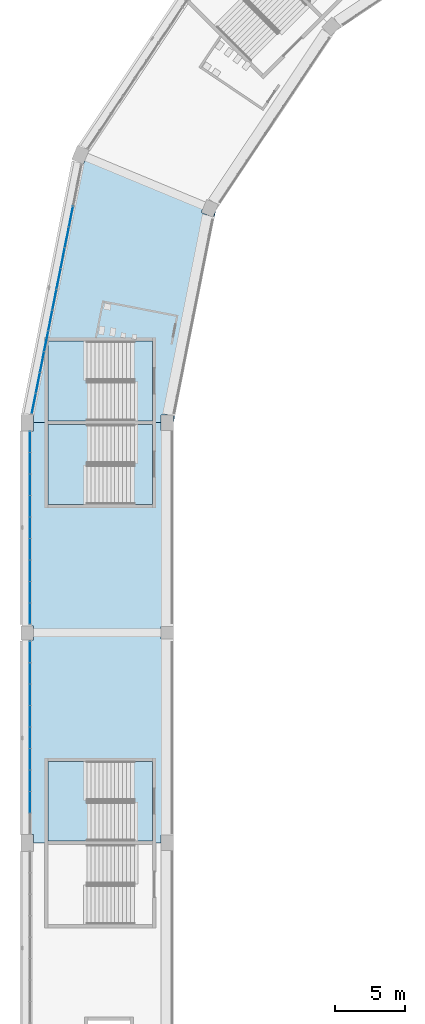
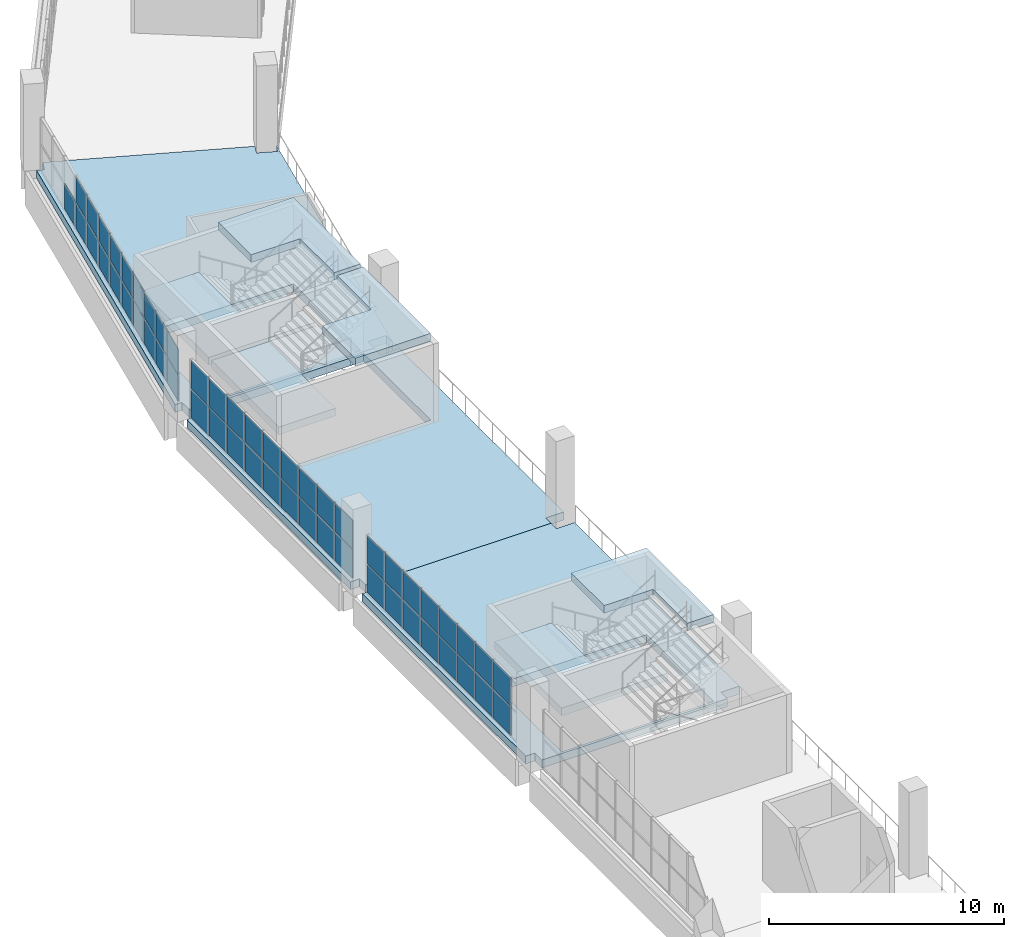
# One storey, part 53 of 177: 53 plates, 9 slabs, 6 elements without a shape of their own.
"""IFC4 building model written with IfcOpenShell, lengths in metres."""

from ifc_helpers import new_model, si_unit, direction, frame, origin, origin_2d, place, context, subcontext, project, spatial, polyline, rectangle, outline, extrude, material, layer, layer_set, type_object, element, aggregate, save


model = new_model("IFC4")

# Units and contexts
model_context = context("Model", 3, precision=1e-05, world=origin(), true_north=direction((0.0, 1.0)))
body_context = subcontext(model_context, "Body", "Model", "MODEL_VIEW")
ifc_project = project(units=[si_unit("LENGTHUNIT", "METRE"), si_unit("AREAUNIT", "SQUARE_METRE"), si_unit("VOLUMEUNIT", "CUBIC_METRE"), si_unit("PLANEANGLEUNIT", "RADIAN"), si_unit("MASSUNIT", "GRAM", prefix="KILO")], contexts=[model_context])

# Site, building, storey
site_placement = place(None, origin())
site = spatial("IfcSite", under=ifc_project, at=site_placement, CompositionType="ELEMENT")
building_placement = place(site_placement, origin())
building = spatial("IfcBuilding", under=site, at=building_placement, Name="Ogive Plaza Stadium", CompositionType="ELEMENT")
storey_placement = place(building_placement, frame((0.0, 0.0, 18.0)))
storey = spatial("IfcBuildingStorey", under=building, at=storey_placement, Name="L04", CompositionType="ELEMENT", Elevation=18.0)

# Curtain wall, plates
ifc_material_1 = material(Name="Bronze-anodised aluminium with laminated glass", Category="aluminium")
curtain_wall_type = type_object("IfcCurtainWallType", Name="Lancet curtain wall", PredefinedType="NOTDEFINED", material=ifc_material_1)
curtain_wall_1_placement = place(storey_placement, origin())
curtain_wall_1 = element("IfcCurtainWall", 1, at=curtain_wall_1_placement, inside=storey, type_object=curtain_wall_type, Name="CURTAIN WALL B26 L04", PredefinedType="NOTDEFINED")
ifc_material_2 = material(Name="Laminated glass", Category="glass")
ifc_layer_1 = layer(ifc_material_2, 0.028076171875)
ifc_layer_set_1 = layer_set([ifc_layer_1], Name="Laminated glass panel 28")
plate_type = type_object("IfcPlateType", Name="Laminated glass panel 28", PredefinedType="CURTAIN_PANEL", material=ifc_layer_set_1)
plate_1_placement = place(storey_placement, frame((-83.800048828125, 25.39990234375, 0.0498046875), z_axis=(0.0, 0.0, 1.0), x_axis=(0.0, 1.0, 0.0)))
plate_1 = element("IfcPlate", 2, at=plate_1_placement, type_object=plate_type, Name="CW-B26-L04 panel 2.1", PredefinedType="CURTAIN_PANEL", context=body_context, shape_type="SweptSolid", body=[
    extrude(rectangle(XDim=1.4833984375, YDim=0.028076171875, at=origin_2d()), origin(), (0.0, 0.0, 1.0), 1.469970703125),
])
plate_2_placement = place(storey_placement, frame((-83.800048828125, 25.39990234375, 1.56982421875), z_axis=(0.0, 0.0, 1.0), x_axis=(0.0, 1.0, 0.0)))
plate_2 = element("IfcPlate", 3, at=plate_2_placement, type_object=plate_type, Name="CW-B26-L04 panel 2.2", PredefinedType="CURTAIN_PANEL", context=body_context, shape_type="SweptSolid", body=[
    extrude(rectangle(XDim=1.4833984375, YDim=0.028076171875, at=origin_2d()), origin(), (0.0, 0.0, 1.0), 1.469970703125),
])
plate_3_placement = place(storey_placement, frame((-83.800048828125, 26.933349609375, 0.0498046875), z_axis=(0.0, 0.0, 1.0), x_axis=(0.0, 1.0, 0.0)))
plate_3 = element("IfcPlate", 4, at=plate_3_placement, type_object=plate_type, Name="CW-B26-L04 panel 3.1", PredefinedType="CURTAIN_PANEL", context=body_context, shape_type="SweptSolid", body=[
    extrude(rectangle(XDim=1.4833984375, YDim=0.028076171875, at=origin_2d()), origin(), (0.0, 0.0, 1.0), 1.469970703125),
])
plate_4_placement = place(storey_placement, frame((-83.800048828125, 26.933349609375, 1.56982421875), z_axis=(0.0, 0.0, 1.0), x_axis=(0.0, 1.0, 0.0)))
plate_4 = element("IfcPlate", 5, at=plate_4_placement, type_object=plate_type, Name="CW-B26-L04 panel 3.2", PredefinedType="CURTAIN_PANEL", context=body_context, shape_type="SweptSolid", body=[
    extrude(rectangle(XDim=1.4833984375, YDim=0.028076171875, at=origin_2d()), origin(), (0.0, 0.0, 1.0), 1.469970703125),
])
plate_5_placement = place(storey_placement, frame((-83.800048828125, 28.466552734375, 0.0498046875), z_axis=(0.0, 0.0, 1.0), x_axis=(0.0, 1.0, 0.0)))
plate_5 = element("IfcPlate", 6, at=plate_5_placement, type_object=plate_type, Name="CW-B26-L04 panel 4.1", PredefinedType="CURTAIN_PANEL", context=body_context, shape_type="SweptSolid", body=[
    extrude(rectangle(XDim=1.4833984375, YDim=0.028076171875, at=origin_2d()), origin(), (0.0, 0.0, 1.0), 1.469970703125),
])
plate_6_placement = place(storey_placement, frame((-83.800048828125, 28.466552734375, 1.56982421875), z_axis=(0.0, 0.0, 1.0), x_axis=(0.0, 1.0, 0.0)))
plate_6 = element("IfcPlate", 7, at=plate_6_placement, type_object=plate_type, Name="CW-B26-L04 panel 4.2", PredefinedType="CURTAIN_PANEL", context=body_context, shape_type="SweptSolid", body=[
    extrude(rectangle(XDim=1.4833984375, YDim=0.028076171875, at=origin_2d()), origin(), (0.0, 0.0, 1.0), 1.469970703125),
])
plate_7_placement = place(storey_placement, frame((-83.800048828125, 30.0, 0.0498046875), z_axis=(0.0, 0.0, 1.0), x_axis=(0.0, 1.0, 0.0)))
plate_7 = element("IfcPlate", 8, at=plate_7_placement, type_object=plate_type, Name="CW-B26-L04 panel 5.1", PredefinedType="CURTAIN_PANEL", context=body_context, shape_type="SweptSolid", body=[
    extrude(rectangle(XDim=1.4833984375, YDim=0.028076171875, at=origin_2d()), origin(), (0.0, 0.0, 1.0), 1.469970703125),
])
plate_8_placement = place(storey_placement, frame((-83.800048828125, 30.0, 1.56982421875), z_axis=(0.0, 0.0, 1.0), x_axis=(0.0, 1.0, 0.0)))
plate_8 = element("IfcPlate", 9, at=plate_8_placement, type_object=plate_type, Name="CW-B26-L04 panel 5.2", PredefinedType="CURTAIN_PANEL", context=body_context, shape_type="SweptSolid", body=[
    extrude(rectangle(XDim=1.4833984375, YDim=0.028076171875, at=origin_2d()), origin(), (0.0, 0.0, 1.0), 1.469970703125),
])
plate_9_placement = place(storey_placement, frame((-83.800048828125, 31.533447265625, 0.0498046875), z_axis=(0.0, 0.0, 1.0), x_axis=(0.0, 1.0, 0.0)))
plate_9 = element("IfcPlate", 10, at=plate_9_placement, type_object=plate_type, Name="CW-B26-L04 panel 6.1", PredefinedType="CURTAIN_PANEL", context=body_context, shape_type="SweptSolid", body=[
    extrude(rectangle(XDim=1.4833984375, YDim=0.028076171875, at=origin_2d()), origin(), (0.0, 0.0, 1.0), 1.469970703125),
])
plate_10_placement = place(storey_placement, frame((-83.800048828125, 31.533447265625, 1.56982421875), z_axis=(0.0, 0.0, 1.0), x_axis=(0.0, 1.0, 0.0)))
plate_10 = element("IfcPlate", 11, at=plate_10_placement, type_object=plate_type, Name="CW-B26-L04 panel 6.2", PredefinedType="CURTAIN_PANEL", context=body_context, shape_type="SweptSolid", body=[
    extrude(rectangle(XDim=1.4833984375, YDim=0.028076171875, at=origin_2d()), origin(), (0.0, 0.0, 1.0), 1.469970703125),
])
plate_11_placement = place(storey_placement, frame((-83.800048828125, 33.066650390625, 0.0498046875), z_axis=(0.0, 0.0, 1.0), x_axis=(0.0, 1.0, 0.0)))
plate_11 = element("IfcPlate", 12, at=plate_11_placement, type_object=plate_type, Name="CW-B26-L04 panel 7.1", PredefinedType="CURTAIN_PANEL", context=body_context, shape_type="SweptSolid", body=[
    extrude(rectangle(XDim=1.4833984375, YDim=0.028076171875, at=origin_2d()), origin(), (0.0, 0.0, 1.0), 1.469970703125),
])
plate_12_placement = place(storey_placement, frame((-83.800048828125, 33.066650390625, 1.56982421875), z_axis=(0.0, 0.0, 1.0), x_axis=(0.0, 1.0, 0.0)))
plate_12 = element("IfcPlate", 13, at=plate_12_placement, type_object=plate_type, Name="CW-B26-L04 panel 7.2", PredefinedType="CURTAIN_PANEL", context=body_context, shape_type="SweptSolid", body=[
    extrude(rectangle(XDim=1.4833984375, YDim=0.028076171875, at=origin_2d()), origin(), (0.0, 0.0, 1.0), 1.469970703125),
])
plate_13_placement = place(storey_placement, frame((-83.800048828125, 34.60009765625, 0.0498046875), z_axis=(0.0, 0.0, 1.0), x_axis=(0.0, 1.0, 0.0)))
plate_13 = element("IfcPlate", 14, at=plate_13_placement, type_object=plate_type, Name="CW-B26-L04 panel 8.1", PredefinedType="CURTAIN_PANEL", context=body_context, shape_type="SweptSolid", body=[
    extrude(rectangle(XDim=1.4833984375, YDim=0.028076171875, at=origin_2d()), origin(), (0.0, 0.0, 1.0), 1.469970703125),
])
plate_14_placement = place(storey_placement, frame((-83.800048828125, 34.60009765625, 1.56982421875), z_axis=(0.0, 0.0, 1.0), x_axis=(0.0, 1.0, 0.0)))
plate_14 = element("IfcPlate", 15, at=plate_14_placement, type_object=plate_type, Name="CW-B26-L04 panel 8.2", PredefinedType="CURTAIN_PANEL", context=body_context, shape_type="SweptSolid", body=[
    extrude(rectangle(XDim=1.4833984375, YDim=0.028076171875, at=origin_2d()), origin(), (0.0, 0.0, 1.0), 1.469970703125),
])
plate_15_placement = place(storey_placement, frame((-83.800048828125, 36.120849609375, 0.0498046875), z_axis=(0.0, 0.0, 1.0), x_axis=(0.0, 1.0, 0.0)))
plate_15 = element("IfcPlate", 16, at=plate_15_placement, type_object=plate_type, Name="CW-B26-L04 panel 9.1", PredefinedType="CURTAIN_PANEL", context=body_context, shape_type="SweptSolid", body=[
    extrude(rectangle(XDim=1.458251953125, YDim=0.028076171875, at=origin_2d()), origin(), (0.0, 0.0, 1.0), 1.469970703125),
])
plate_16_placement = place(storey_placement, frame((-83.800048828125, 36.120849609375, 1.56982421875), z_axis=(0.0, 0.0, 1.0), x_axis=(0.0, 1.0, 0.0)))
plate_16 = element("IfcPlate", 17, at=plate_16_placement, type_object=plate_type, Name="CW-B26-L04 panel 9.2", PredefinedType="CURTAIN_PANEL", context=body_context, shape_type="SweptSolid", body=[
    extrude(rectangle(XDim=1.458251953125, YDim=0.028076171875, at=origin_2d()), origin(), (0.0, 0.0, 1.0), 1.469970703125),
])
aggregate(curtain_wall_1, [plate_1, plate_2, plate_3, plate_4, plate_5, plate_6, plate_7, plate_8, plate_9, plate_10, plate_11, plate_12, plate_13, plate_14, plate_15, plate_16])

curtain_wall_2_placement = place(storey_placement, origin())
curtain_wall_2 = element("IfcCurtainWall", 18, at=curtain_wall_2_placement, inside=storey, type_object=curtain_wall_type, Name="CURTAIN WALL B27 L04", PredefinedType="NOTDEFINED")
plate_17_placement = place(storey_placement, frame((-83.800048828125, 38.879150390625, 0.0498046875), z_axis=(0.0, 0.0, 1.0), x_axis=(0.0, 1.0, 0.0)))
plate_17 = element("IfcPlate", 19, at=plate_17_placement, type_object=plate_type, Name="CW-B27-L04 panel 1.1", PredefinedType="CURTAIN_PANEL", context=body_context, shape_type="SweptSolid", body=[
    extrude(rectangle(XDim=1.458251953125, YDim=0.028076171875, at=origin_2d()), origin(), (0.0, 0.0, 1.0), 1.469970703125),
])
plate_18_placement = place(storey_placement, frame((-83.800048828125, 38.879150390625, 1.56982421875), z_axis=(0.0, 0.0, 1.0), x_axis=(0.0, 1.0, 0.0)))
plate_18 = element("IfcPlate", 20, at=plate_18_placement, type_object=plate_type, Name="CW-B27-L04 panel 1.2", PredefinedType="CURTAIN_PANEL", context=body_context, shape_type="SweptSolid", body=[
    extrude(rectangle(XDim=1.458251953125, YDim=0.028076171875, at=origin_2d()), origin(), (0.0, 0.0, 1.0), 1.469970703125),
])
plate_19_placement = place(storey_placement, frame((-83.800048828125, 40.39990234375, 0.0498046875), z_axis=(0.0, 0.0, 1.0), x_axis=(0.0, 1.0, 0.0)))
plate_19 = element("IfcPlate", 21, at=plate_19_placement, type_object=plate_type, Name="CW-B27-L04 panel 2.1", PredefinedType="CURTAIN_PANEL", context=body_context, shape_type="SweptSolid", body=[
    extrude(rectangle(XDim=1.4833984375, YDim=0.028076171875, at=origin_2d()), origin(), (0.0, 0.0, 1.0), 1.469970703125),
])
plate_20_placement = place(storey_placement, frame((-83.800048828125, 40.39990234375, 1.56982421875), z_axis=(0.0, 0.0, 1.0), x_axis=(0.0, 1.0, 0.0)))
plate_20 = element("IfcPlate", 22, at=plate_20_placement, type_object=plate_type, Name="CW-B27-L04 panel 2.2", PredefinedType="CURTAIN_PANEL", context=body_context, shape_type="SweptSolid", body=[
    extrude(rectangle(XDim=1.4833984375, YDim=0.028076171875, at=origin_2d()), origin(), (0.0, 0.0, 1.0), 1.469970703125),
])
plate_21_placement = place(storey_placement, frame((-83.800048828125, 41.933349609375, 0.0498046875), z_axis=(0.0, 0.0, 1.0), x_axis=(0.0, 1.0, 0.0)))
plate_21 = element("IfcPlate", 23, at=plate_21_placement, type_object=plate_type, Name="CW-B27-L04 panel 3.1", PredefinedType="CURTAIN_PANEL", context=body_context, shape_type="SweptSolid", body=[
    extrude(rectangle(XDim=1.4833984375, YDim=0.028076171875, at=origin_2d()), origin(), (0.0, 0.0, 1.0), 1.469970703125),
])
plate_22_placement = place(storey_placement, frame((-83.800048828125, 41.933349609375, 1.56982421875), z_axis=(0.0, 0.0, 1.0), x_axis=(0.0, 1.0, 0.0)))
plate_22 = element("IfcPlate", 24, at=plate_22_placement, type_object=plate_type, Name="CW-B27-L04 panel 3.2", PredefinedType="CURTAIN_PANEL", context=body_context, shape_type="SweptSolid", body=[
    extrude(rectangle(XDim=1.4833984375, YDim=0.028076171875, at=origin_2d()), origin(), (0.0, 0.0, 1.0), 1.469970703125),
])
plate_23_placement = place(storey_placement, frame((-83.800048828125, 43.466552734375, 0.0498046875), z_axis=(0.0, 0.0, 1.0), x_axis=(0.0, 1.0, 0.0)))
plate_23 = element("IfcPlate", 25, at=plate_23_placement, type_object=plate_type, Name="CW-B27-L04 panel 4.1", PredefinedType="CURTAIN_PANEL", context=body_context, shape_type="SweptSolid", body=[
    extrude(rectangle(XDim=1.4833984375, YDim=0.028076171875, at=origin_2d()), origin(), (0.0, 0.0, 1.0), 1.469970703125),
])
plate_24_placement = place(storey_placement, frame((-83.800048828125, 43.466552734375, 1.56982421875), z_axis=(0.0, 0.0, 1.0), x_axis=(0.0, 1.0, 0.0)))
plate_24 = element("IfcPlate", 26, at=plate_24_placement, type_object=plate_type, Name="CW-B27-L04 panel 4.2", PredefinedType="CURTAIN_PANEL", context=body_context, shape_type="SweptSolid", body=[
    extrude(rectangle(XDim=1.4833984375, YDim=0.028076171875, at=origin_2d()), origin(), (0.0, 0.0, 1.0), 1.469970703125),
])
plate_25_placement = place(storey_placement, frame((-83.800048828125, 45.0, 0.0498046875), z_axis=(0.0, 0.0, 1.0), x_axis=(0.0, 1.0, 0.0)))
plate_25 = element("IfcPlate", 27, at=plate_25_placement, type_object=plate_type, Name="CW-B27-L04 panel 5.1", PredefinedType="CURTAIN_PANEL", context=body_context, shape_type="SweptSolid", body=[
    extrude(rectangle(XDim=1.4833984375, YDim=0.028076171875, at=origin_2d()), origin(), (0.0, 0.0, 1.0), 1.469970703125),
])
plate_26_placement = place(storey_placement, frame((-83.800048828125, 45.0, 1.56982421875), z_axis=(0.0, 0.0, 1.0), x_axis=(0.0, 1.0, 0.0)))
plate_26 = element("IfcPlate", 28, at=plate_26_placement, type_object=plate_type, Name="CW-B27-L04 panel 5.2", PredefinedType="CURTAIN_PANEL", context=body_context, shape_type="SweptSolid", body=[
    extrude(rectangle(XDim=1.4833984375, YDim=0.028076171875, at=origin_2d()), origin(), (0.0, 0.0, 1.0), 1.469970703125),
])
plate_27_placement = place(storey_placement, frame((-83.800048828125, 46.533447265625, 0.0498046875), z_axis=(0.0, 0.0, 1.0), x_axis=(0.0, 1.0, 0.0)))
plate_27 = element("IfcPlate", 29, at=plate_27_placement, type_object=plate_type, Name="CW-B27-L04 panel 6.1", PredefinedType="CURTAIN_PANEL", context=body_context, shape_type="SweptSolid", body=[
    extrude(rectangle(XDim=1.4833984375, YDim=0.028076171875, at=origin_2d()), origin(), (0.0, 0.0, 1.0), 1.469970703125),
])
plate_28_placement = place(storey_placement, frame((-83.800048828125, 46.533447265625, 1.56982421875), z_axis=(0.0, 0.0, 1.0), x_axis=(0.0, 1.0, 0.0)))
plate_28 = element("IfcPlate", 30, at=plate_28_placement, type_object=plate_type, Name="CW-B27-L04 panel 6.2", PredefinedType="CURTAIN_PANEL", context=body_context, shape_type="SweptSolid", body=[
    extrude(rectangle(XDim=1.4833984375, YDim=0.028076171875, at=origin_2d()), origin(), (0.0, 0.0, 1.0), 1.469970703125),
])
plate_29_placement = place(storey_placement, frame((-83.800048828125, 48.066650390625, 0.0498046875), z_axis=(0.0, 0.0, 1.0), x_axis=(0.0, 1.0, 0.0)))
plate_29 = element("IfcPlate", 31, at=plate_29_placement, type_object=plate_type, Name="CW-B27-L04 panel 7.1", PredefinedType="CURTAIN_PANEL", context=body_context, shape_type="SweptSolid", body=[
    extrude(rectangle(XDim=1.4833984375, YDim=0.028076171875, at=origin_2d()), origin(), (0.0, 0.0, 1.0), 1.469970703125),
])
plate_30_placement = place(storey_placement, frame((-83.800048828125, 48.066650390625, 1.56982421875), z_axis=(0.0, 0.0, 1.0), x_axis=(0.0, 1.0, 0.0)))
plate_30 = element("IfcPlate", 32, at=plate_30_placement, type_object=plate_type, Name="CW-B27-L04 panel 7.2", PredefinedType="CURTAIN_PANEL", context=body_context, shape_type="SweptSolid", body=[
    extrude(rectangle(XDim=1.4833984375, YDim=0.028076171875, at=origin_2d()), origin(), (0.0, 0.0, 1.0), 1.469970703125),
])
plate_31_placement = place(storey_placement, frame((-83.800048828125, 49.60009765625, 0.0498046875), z_axis=(0.0, 0.0, 1.0), x_axis=(0.0, 1.0, 0.0)))
plate_31 = element("IfcPlate", 33, at=plate_31_placement, type_object=plate_type, Name="CW-B27-L04 panel 8.1", PredefinedType="CURTAIN_PANEL", context=body_context, shape_type="SweptSolid", body=[
    extrude(rectangle(XDim=1.4833984375, YDim=0.028076171875, at=origin_2d()), origin(), (0.0, 0.0, 1.0), 1.469970703125),
])
plate_32_placement = place(storey_placement, frame((-83.800048828125, 49.60009765625, 1.56982421875), z_axis=(0.0, 0.0, 1.0), x_axis=(0.0, 1.0, 0.0)))
plate_32 = element("IfcPlate", 34, at=plate_32_placement, type_object=plate_type, Name="CW-B27-L04 panel 8.2", PredefinedType="CURTAIN_PANEL", context=body_context, shape_type="SweptSolid", body=[
    extrude(rectangle(XDim=1.4833984375, YDim=0.028076171875, at=origin_2d()), origin(), (0.0, 0.0, 1.0), 1.469970703125),
])
plate_33_placement = place(storey_placement, frame((-83.800048828125, 51.120849609375, 0.0498046875), z_axis=(0.0, 0.0, 1.0), x_axis=(0.0, 1.0, 0.0)))
plate_33 = element("IfcPlate", 35, at=plate_33_placement, type_object=plate_type, Name="CW-B27-L04 panel 9.1", PredefinedType="CURTAIN_PANEL", context=body_context, shape_type="SweptSolid", body=[
    extrude(rectangle(XDim=1.458251953125, YDim=0.028076171875, at=origin_2d()), origin(), (0.0, 0.0, 1.0), 1.469970703125),
])
plate_34_placement = place(storey_placement, frame((-83.800048828125, 51.120849609375, 1.56982421875), z_axis=(0.0, 0.0, 1.0), x_axis=(0.0, 1.0, 0.0)))
plate_34 = element("IfcPlate", 36, at=plate_34_placement, type_object=plate_type, Name="CW-B27-L04 panel 9.2", PredefinedType="CURTAIN_PANEL", context=body_context, shape_type="SweptSolid", body=[
    extrude(rectangle(XDim=1.458251953125, YDim=0.028076171875, at=origin_2d()), origin(), (0.0, 0.0, 1.0), 1.469970703125),
])
aggregate(curtain_wall_2, [plate_17, plate_18, plate_19, plate_20, plate_21, plate_22, plate_23, plate_24, plate_25, plate_26, plate_27, plate_28, plate_29, plate_30, plate_31, plate_32, plate_33, plate_34])

curtain_wall_3_placement = place(storey_placement, origin())
curtain_wall_3 = element("IfcCurtainWall", 37, at=curtain_wall_3_placement, inside=storey, type_object=curtain_wall_type, Name="CURTAIN WALL B28 L04", PredefinedType="NOTDEFINED")
plate_35_placement = place(storey_placement, frame((-83.522705078125, 53.874267578125, 0.0498046875), z_axis=(0.0, 0.0, 1.0), x_axis=(0.195090322016, 0.980785280403, 0.0)))
plate_35 = element("IfcPlate", 38, at=plate_35_placement, type_object=plate_type, Name="CW-B28-L04 panel 1.1", PredefinedType="CURTAIN_PANEL", context=body_context, shape_type="SweptSolid", body=[
    extrude(rectangle(XDim=1.43896484375, YDim=0.028076171875, at=origin_2d()), origin(), (0.0, 0.0, 1.0), 1.320068359375),
])
plate_36_placement = place(storey_placement, frame((-83.522705078125, 53.874267578125, 1.419921875), z_axis=(0.0, 0.0, 1.0), x_axis=(0.195090322016, 0.980785280403, 0.0)))
plate_36 = element("IfcPlate", 39, at=plate_36_placement, type_object=plate_type, Name="CW-B28-L04 panel 1.2", PredefinedType="CURTAIN_PANEL", context=body_context, shape_type="SweptSolid", body=[
    extrude(rectangle(XDim=1.43896484375, YDim=0.028076171875, at=origin_2d()), origin(), (0.0, 0.0, 1.0), 1.320068359375),
])
plate_37_placement = place(storey_placement, frame((-83.229736328125, 55.3466796875, 0.0498046875), z_axis=(0.0, 0.0, 1.0), x_axis=(0.195090322016, 0.980785280403, 0.0)))
plate_37 = element("IfcPlate", 40, at=plate_37_placement, type_object=plate_type, Name="CW-B28-L04 panel 2.1", PredefinedType="CURTAIN_PANEL", context=body_context, shape_type="SweptSolid", body=[
    extrude(rectangle(XDim=1.4638671875, YDim=0.028076171875, at=origin_2d()), origin(), (0.0, 0.0, 1.0), 1.320068359375),
])
plate_38_placement = place(storey_placement, frame((-83.229736328125, 55.3466796875, 1.419921875), z_axis=(0.0, 0.0, 1.0), x_axis=(0.195090322016, 0.980785280403, 0.0)))
plate_38 = element("IfcPlate", 41, at=plate_38_placement, type_object=plate_type, Name="CW-B28-L04 panel 2.2", PredefinedType="CURTAIN_PANEL", context=body_context, shape_type="SweptSolid", body=[
    extrude(rectangle(XDim=1.4638671875, YDim=0.028076171875, at=origin_2d()), origin(), (0.0, 0.0, 1.0), 1.320068359375),
])
plate_39_placement = place(storey_placement, frame((-82.9345703125, 56.831298828125, 0.0498046875), z_axis=(0.0, 0.0, 1.0), x_axis=(0.195090322016, 0.980785280403, 0.0)))
plate_39 = element("IfcPlate", 42, at=plate_39_placement, type_object=plate_type, Name="CW-B28-L04 panel 3.1", PredefinedType="CURTAIN_PANEL", context=body_context, shape_type="SweptSolid", body=[
    extrude(rectangle(XDim=1.4638671875, YDim=0.028076171875, at=origin_2d()), origin(), (0.0, 0.0, 1.0), 1.320068359375),
])
plate_40_placement = place(storey_placement, frame((-82.9345703125, 56.831298828125, 1.419921875), z_axis=(0.0, 0.0, 1.0), x_axis=(0.195090322016, 0.980785280403, 0.0)))
plate_40 = element("IfcPlate", 43, at=plate_40_placement, type_object=plate_type, Name="CW-B28-L04 panel 3.2", PredefinedType="CURTAIN_PANEL", context=body_context, shape_type="SweptSolid", body=[
    extrude(rectangle(XDim=1.4638671875, YDim=0.028076171875, at=origin_2d()), origin(), (0.0, 0.0, 1.0), 1.320068359375),
])
plate_41_placement = place(storey_placement, frame((-82.63916015625, 58.316162109375, 0.0498046875), z_axis=(0.0, 0.0, 1.0), x_axis=(0.195090322016, 0.980785280403, 0.0)))
plate_41 = element("IfcPlate", 44, at=plate_41_placement, type_object=plate_type, Name="CW-B28-L04 panel 4.1", PredefinedType="CURTAIN_PANEL", context=body_context, shape_type="SweptSolid", body=[
    extrude(rectangle(XDim=1.4638671875, YDim=0.028076171875, at=origin_2d()), origin(), (0.0, 0.0, 1.0), 1.320068359375),
])
plate_42_placement = place(storey_placement, frame((-82.63916015625, 58.316162109375, 1.419921875), z_axis=(0.0, 0.0, 1.0), x_axis=(0.195090322016, 0.980785280403, 0.0)))
plate_42 = element("IfcPlate", 45, at=plate_42_placement, type_object=plate_type, Name="CW-B28-L04 panel 4.2", PredefinedType="CURTAIN_PANEL", context=body_context, shape_type="SweptSolid", body=[
    extrude(rectangle(XDim=1.4638671875, YDim=0.028076171875, at=origin_2d()), origin(), (0.0, 0.0, 1.0), 1.320068359375),
])
plate_43_placement = place(storey_placement, frame((-82.34375, 59.801025390625, 0.0498046875), z_axis=(0.0, 0.0, 1.0), x_axis=(0.195090322016, 0.980785280403, 0.0)))
plate_43 = element("IfcPlate", 46, at=plate_43_placement, type_object=plate_type, Name="CW-B28-L04 panel 5.1", PredefinedType="CURTAIN_PANEL", context=body_context, shape_type="SweptSolid", body=[
    extrude(rectangle(XDim=1.4638671875, YDim=0.028076171875, at=origin_2d()), origin(), (0.0, 0.0, 1.0), 1.320068359375),
])
plate_44_placement = place(storey_placement, frame((-82.34375, 59.801025390625, 1.419921875), z_axis=(0.0, 0.0, 1.0), x_axis=(0.195090322016, 0.980785280403, 0.0)))
plate_44 = element("IfcPlate", 47, at=plate_44_placement, type_object=plate_type, Name="CW-B28-L04 panel 5.2", PredefinedType="CURTAIN_PANEL", context=body_context, shape_type="SweptSolid", body=[
    extrude(rectangle(XDim=1.4638671875, YDim=0.028076171875, at=origin_2d()), origin(), (0.0, 0.0, 1.0), 1.320068359375),
])
plate_45_placement = place(storey_placement, frame((-82.048583984375, 61.28564453125, 0.0498046875), z_axis=(0.0, 0.0, 1.0), x_axis=(0.195090322016, 0.980785280403, 0.0)))
plate_45 = element("IfcPlate", 48, at=plate_45_placement, type_object=plate_type, Name="CW-B28-L04 panel 6.1", PredefinedType="CURTAIN_PANEL", context=body_context, shape_type="SweptSolid", body=[
    extrude(rectangle(XDim=1.4638671875, YDim=0.028076171875, at=origin_2d()), origin(), (0.0, 0.0, 1.0), 1.320068359375),
])
plate_46_placement = place(storey_placement, frame((-82.048583984375, 61.28564453125, 1.419921875), z_axis=(0.0, 0.0, 1.0), x_axis=(0.195090322016, 0.980785280403, 0.0)))
plate_46 = element("IfcPlate", 49, at=plate_46_placement, type_object=plate_type, Name="CW-B28-L04 panel 6.2", PredefinedType="CURTAIN_PANEL", context=body_context, shape_type="SweptSolid", body=[
    extrude(rectangle(XDim=1.4638671875, YDim=0.028076171875, at=origin_2d()), origin(), (0.0, 0.0, 1.0), 1.320068359375),
])
plate_47_placement = place(storey_placement, frame((-81.753173828125, 62.7705078125, 0.0498046875), z_axis=(0.0, 0.0, 1.0), x_axis=(0.195090322016, 0.980785280403, 0.0)))
plate_47 = element("IfcPlate", 50, at=plate_47_placement, type_object=plate_type, Name="CW-B28-L04 panel 7.1", PredefinedType="CURTAIN_PANEL", context=body_context, shape_type="SweptSolid", body=[
    extrude(rectangle(XDim=1.4638671875, YDim=0.028076171875, at=origin_2d()), origin(), (0.0, 0.0, 1.0), 1.320068359375),
])
plate_48_placement = place(storey_placement, frame((-81.753173828125, 62.7705078125, 1.419921875), z_axis=(0.0, 0.0, 1.0), x_axis=(0.195090322016, 0.980785280403, 0.0)))
plate_48 = element("IfcPlate", 51, at=plate_48_placement, type_object=plate_type, Name="CW-B28-L04 panel 7.2", PredefinedType="CURTAIN_PANEL", context=body_context, shape_type="SweptSolid", body=[
    extrude(rectangle(XDim=1.4638671875, YDim=0.028076171875, at=origin_2d()), origin(), (0.0, 0.0, 1.0), 1.320068359375),
])
plate_49_placement = place(storey_placement, frame((-81.457763671875, 64.255126953125, 0.0498046875), z_axis=(0.0, 0.0, 1.0), x_axis=(0.195090322016, 0.980785280403, 0.0)))
plate_49 = element("IfcPlate", 52, at=plate_49_placement, type_object=plate_type, Name="CW-B28-L04 panel 8.1", PredefinedType="CURTAIN_PANEL", context=body_context, shape_type="SweptSolid", body=[
    extrude(rectangle(XDim=1.4638671875, YDim=0.028076171875, at=origin_2d()), origin(), (0.0, 0.0, 1.0), 1.320068359375),
])
plate_50_placement = place(storey_placement, frame((-81.457763671875, 64.255126953125, 1.419921875), z_axis=(0.0, 0.0, 1.0), x_axis=(0.195090322016, 0.980785280403, 0.0)))
plate_50 = element("IfcPlate", 53, at=plate_50_placement, type_object=plate_type, Name="CW-B28-L04 panel 8.2", PredefinedType="CURTAIN_PANEL", context=body_context, shape_type="SweptSolid", body=[
    extrude(rectangle(XDim=1.4638671875, YDim=0.028076171875, at=origin_2d()), origin(), (0.0, 0.0, 1.0), 1.320068359375),
])
plate_51_placement = place(storey_placement, frame((-81.16259765625, 65.739990234375, 0.0498046875), z_axis=(0.0, 0.0, 1.0), x_axis=(0.195090322016, 0.980785280403, 0.0)))
plate_51 = element("IfcPlate", 54, at=plate_51_placement, type_object=plate_type, Name="CW-B28-L04 panel 9.1", PredefinedType="CURTAIN_PANEL", context=body_context, shape_type="SweptSolid", body=[
    extrude(rectangle(XDim=1.4638671875, YDim=0.028076171875, at=origin_2d()), origin(), (0.0, 0.0, 1.0), 1.320068359375),
])
plate_52_placement = place(storey_placement, frame((-81.16259765625, 65.739990234375, 1.419921875), z_axis=(0.0, 0.0, 1.0), x_axis=(0.195090322016, 0.980785280403, 0.0)))
plate_52 = element("IfcPlate", 55, at=plate_52_placement, type_object=plate_type, Name="CW-B28-L04 panel 9.2", PredefinedType="CURTAIN_PANEL", context=body_context, shape_type="SweptSolid", body=[
    extrude(rectangle(XDim=1.4638671875, YDim=0.028076171875, at=origin_2d()), origin(), (0.0, 0.0, 1.0), 1.320068359375),
])
plate_53_placement = place(storey_placement, frame((-80.8671875, 67.224609375, 0.0498046875), z_axis=(0.0, 0.0, 1.0), x_axis=(0.195090322016, 0.980785280403, 0.0)))
plate_53 = element("IfcPlate", 56, at=plate_53_placement, type_object=plate_type, Name="CW-B28-L04 panel 10.1", PredefinedType="CURTAIN_PANEL", context=body_context, shape_type="SweptSolid", body=[
    extrude(rectangle(XDim=1.4638671875, YDim=0.028076171875, at=origin_2d()), origin(), (0.0, 0.0, 1.0), 1.320068359375),
])
aggregate(curtain_wall_3, [plate_35, plate_36, plate_37, plate_38, plate_39, plate_40, plate_41, plate_42, plate_43, plate_44, plate_45, plate_46, plate_47, plate_48, plate_49, plate_50, plate_51, plate_52, plate_53])

# Slabs
ifc_material_3 = material(Name="Concrete C40/50", Category="concrete")
ifc_layer_2 = layer(ifc_material_3, 0.409912109375)
ifc_layer_set_2 = layer_set([ifc_layer_2], Name="Concrete C40/50")
slab_type_1 = type_object("IfcSlabType", Name="RC floor slab 410", PredefinedType="FLOOR", material=ifc_layer_set_2)
slab_1_placement = place(storey_placement, frame((0.0, 0.0, -0.409912109375)))
element("IfcSlab", 57, at=slab_1_placement, inside=storey, type_object=slab_type_1, Name="Floor slab L04 B26", PredefinedType="FLOOR", context=body_context, shape_type="SweptSolid", body=[
    extrude(outline(polyline([(-83.550048828125, 37.5), (-83.550048828125, 37.0), (-84.0, 37.0), (-84.0, 23.10009765625), (-83.550048828125, 23.10009765625), (-83.550048828125, 22.5), (-74.449951171875, 22.5), (-74.449951171875, 23.050048828125), (-73.550048828125, 23.050048828125), (-73.550048828125, 37.050048828125), (-74.449951171875, 37.050048828125), (-74.449951171875, 37.5), (-83.550048828125, 37.5)]), holes=[polyline([(-75.050048828125, 22.625), (-75.050048828125, 28.324951171875), (-82.510009765625, 28.324951171875), (-82.510009765625, 22.625), (-75.050048828125, 22.625)])]), origin(), (0.0, 0.0, 1.0), 0.409912109375),
])
slab_2_placement = place(storey_placement, frame((0.0, 0.0, -0.409912109375)))
element("IfcSlab", 58, at=slab_2_placement, inside=storey, type_object=slab_type_1, Name="Floor slab L04 B27", PredefinedType="FLOOR", context=body_context, shape_type="SweptSolid", body=[
    extrude(outline(polyline([(-83.550048828125, 52.5), (-83.550048828125, 51.89990234375), (-84.0, 51.89990234375), (-84.0, 38.0), (-83.550048828125, 38.0), (-83.550048828125, 37.5), (-74.449951171875, 37.5), (-74.449951171875, 37.949951171875), (-73.550048828125, 37.949951171875), (-73.550048828125, 51.949951171875), (-74.449951171875, 51.949951171875), (-74.449951171875, 52.5), (-83.550048828125, 52.5)]), holes=[polyline([(-75.050048828125, 52.375), (-82.510009765625, 52.375), (-82.510009765625, 46.675048828125), (-75.050048828125, 46.675048828125), (-75.050048828125, 52.375)])]), origin(), (0.0, 0.0, 1.0), 0.409912109375),
])
slab_3_placement = place(storey_placement, frame((0.0, 0.0, -0.409912109375)))
element("IfcSlab", 59, at=slab_3_placement, inside=storey, type_object=slab_type_1, Name="Floor slab L04 B28", PredefinedType="FLOOR", context=body_context, shape_type="SweptSolid", body=[
    extrude(outline(polyline([(-79.7783203125, 71.4619140625), (-79.98876953125, 70.953857421875), (-80.303466796875, 71.084228515625), (-83.880615234375, 53.10009765625), (-83.550048828125, 53.10009765625), (-83.550048828125, 52.5), (-74.449951171875, 52.5), (-74.449951171875, 53.050048828125), (-73.550048828125, 53.050048828125), (-73.550048828125, 52.5), (-70.53955078125, 67.635009765625), (-70.730712890625, 67.173095703125), (-71.562255859375, 67.517578125), (-71.370849609375, 67.9794921875), (-79.7783203125, 71.4619140625)]), holes=[polyline([(-75.050048828125, 52.625), (-75.050048828125, 58.324951171875), (-82.510009765625, 58.324951171875), (-82.510009765625, 52.625), (-75.050048828125, 52.625)])]), origin(), (0.0, 0.0, 1.0), 0.409912109375),
])

# Stair, slabs
ifc_material_4 = material(Name="Concrete C40/50", Category="concrete")
stair_type = type_object("IfcStairType", Name="Exit stair", PredefinedType="STRAIGHT_RUN_STAIR", material=ifc_material_4)
stair_1_placement = place(storey_placement, origin())
stair_1 = element("IfcStair", 60, at=stair_1_placement, inside=storey, type_object=stair_type, Name="Exit stair ST26A L04 to L05", PredefinedType="STRAIGHT_RUN_STAIR")
ifc_material_5 = material(Name="Concrete C40/50", Category="concrete")
ifc_layer_3 = layer(ifc_material_5, 0.39990234375)
ifc_layer_set_3 = layer_set([ifc_layer_3], Name="Concrete C40/50")
slab_type_2 = type_object("IfcSlabType", Name="Stair landing", PredefinedType="LANDING", material=ifc_layer_set_3)
slab_4_placement = place(storey_placement, frame((0.0, 0.0, 1.85009765625)))
slab_4 = element("IfcSlab", 61, at=slab_4_placement, type_object=slab_type_2, Name="ST26A landing 1", PredefinedType="LANDING", context=body_context, shape_type="SweptSolid", body=[
    extrude(outline(polyline([(-82.510009765625, 22.625), (-82.510009765625, 28.324951171875), (-79.7099609375, 28.324951171875), (-79.7099609375, 25.425048828125), (-77.31005859375, 25.425048828125), (-77.31005859375, 22.625), (-79.7099609375, 22.625), (-82.510009765625, 22.625)])), origin(), (0.0, 0.0, 1.0), 0.39990234375),
])
slab_5_placement = place(storey_placement, frame((0.0, 0.0, 4.10009765625)))
slab_5 = element("IfcSlab", 62, at=slab_5_placement, type_object=slab_type_2, Name="ST26A landing 2", PredefinedType="LANDING", context=body_context, shape_type="SweptSolid", body=[
    extrude(outline(polyline([(-78.75, 25.52490234375), (-78.75, 28.324951171875), (-76.35009765625, 28.324951171875), (-75.050048828125, 28.324951171875), (-75.050048828125, 22.625), (-76.35009765625, 22.625), (-76.35009765625, 25.52490234375), (-78.75, 25.52490234375)])), origin(), (0.0, 0.0, 1.0), 0.39990234375),
])
aggregate(stair_1, [slab_4, slab_5])

stair_2_placement = place(storey_placement, origin())
stair_2 = element("IfcStair", 63, at=stair_2_placement, inside=storey, type_object=stair_type, Name="Exit stair ST28A L04 to L05", PredefinedType="STRAIGHT_RUN_STAIR")
slab_6_placement = place(storey_placement, frame((0.0, 0.0, 1.85009765625)))
slab_6 = element("IfcSlab", 64, at=slab_6_placement, type_object=slab_type_2, Name="ST28A landing 1", PredefinedType="LANDING", context=body_context, shape_type="SweptSolid", body=[
    extrude(outline(polyline([(-82.510009765625, 52.625), (-82.510009765625, 58.324951171875), (-79.7099609375, 58.324951171875), (-79.7099609375, 55.425048828125), (-77.31005859375, 55.425048828125), (-77.31005859375, 52.625), (-79.7099609375, 52.625), (-82.510009765625, 52.625)])), origin(), (0.0, 0.0, 1.0), 0.39990234375),
])
slab_7_placement = place(storey_placement, frame((0.0, 0.0, 4.10009765625)))
slab_7 = element("IfcSlab", 65, at=slab_7_placement, type_object=slab_type_2, Name="ST28A landing 2", PredefinedType="LANDING", context=body_context, shape_type="SweptSolid", body=[
    extrude(outline(polyline([(-78.75, 55.52490234375), (-78.75, 58.324951171875), (-76.35009765625, 58.324951171875), (-75.050048828125, 58.324951171875), (-75.050048828125, 52.625), (-76.35009765625, 52.625), (-76.35009765625, 55.52490234375), (-78.75, 55.52490234375)])), origin(), (0.0, 0.0, 1.0), 0.39990234375),
])
aggregate(stair_2, [slab_6, slab_7])

stair_3_placement = place(storey_placement, origin())
stair_3 = element("IfcStair", 66, at=stair_3_placement, inside=storey, type_object=stair_type, Name="Exit stair ST28B L04 to L05", PredefinedType="STRAIGHT_RUN_STAIR")
slab_8_placement = place(storey_placement, frame((0.0, 0.0, 1.85009765625)))
slab_8 = element("IfcSlab", 67, at=slab_8_placement, type_object=slab_type_2, Name="ST28B landing 1", PredefinedType="LANDING", context=body_context, shape_type="SweptSolid", body=[
    extrude(outline(polyline([(-77.31005859375, 52.375), (-77.31005859375, 49.574951171875), (-79.7099609375, 49.574951171875), (-79.7099609375, 46.675048828125), (-82.510009765625, 46.675048828125), (-82.510009765625, 52.375), (-79.7099609375, 52.375), (-77.31005859375, 52.375)])), origin(), (0.0, 0.0, 1.0), 0.39990234375),
])
slab_9_placement = place(storey_placement, frame((0.0, 0.0, 4.10009765625)))
slab_9 = element("IfcSlab", 68, at=slab_9_placement, type_object=slab_type_2, Name="ST28B landing 2", PredefinedType="LANDING", context=body_context, shape_type="SweptSolid", body=[
    extrude(outline(polyline([(-76.35009765625, 52.375), (-75.050048828125, 52.375), (-75.050048828125, 46.675048828125), (-76.35009765625, 46.675048828125), (-78.75, 46.675048828125), (-78.75, 49.47509765625), (-76.35009765625, 49.47509765625), (-76.35009765625, 52.375)])), origin(), (0.0, 0.0, 1.0), 0.39990234375),
])
aggregate(stair_3, [slab_8, slab_9])

save(model, "model.ifc")
